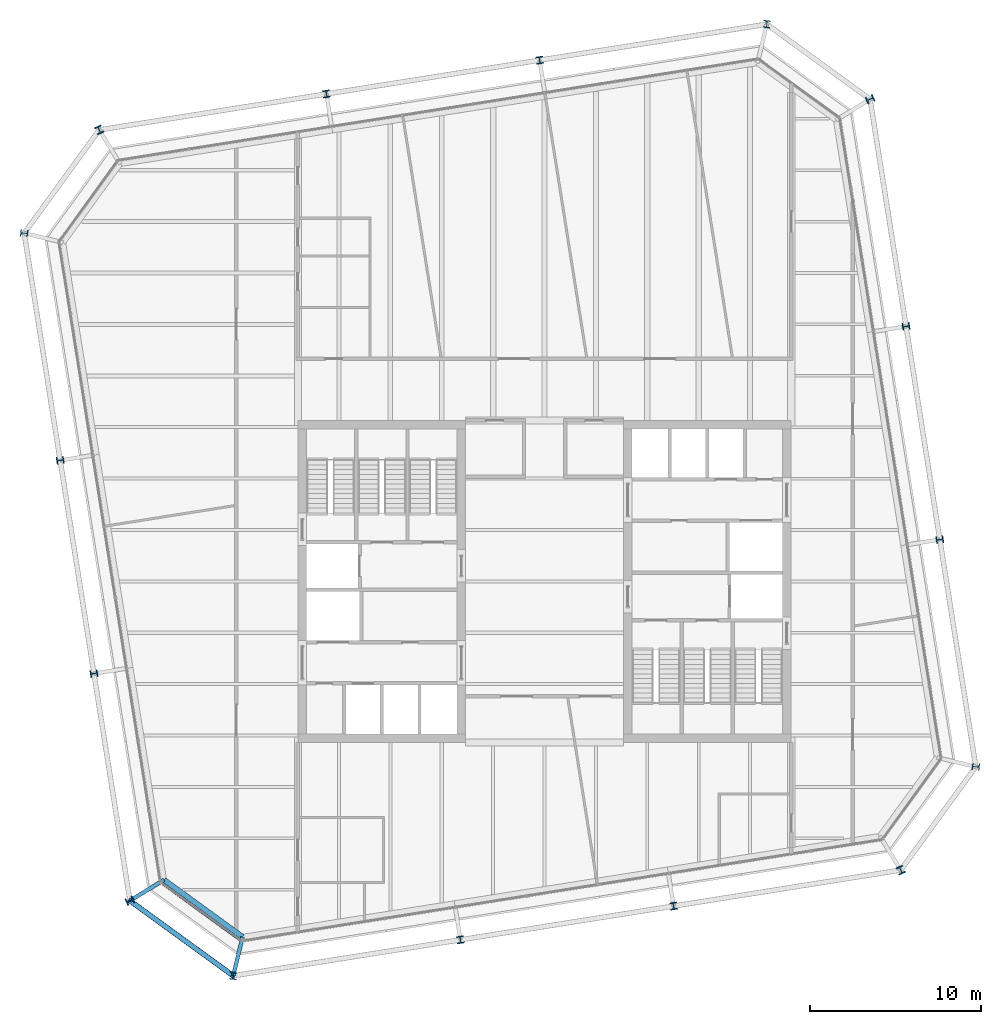
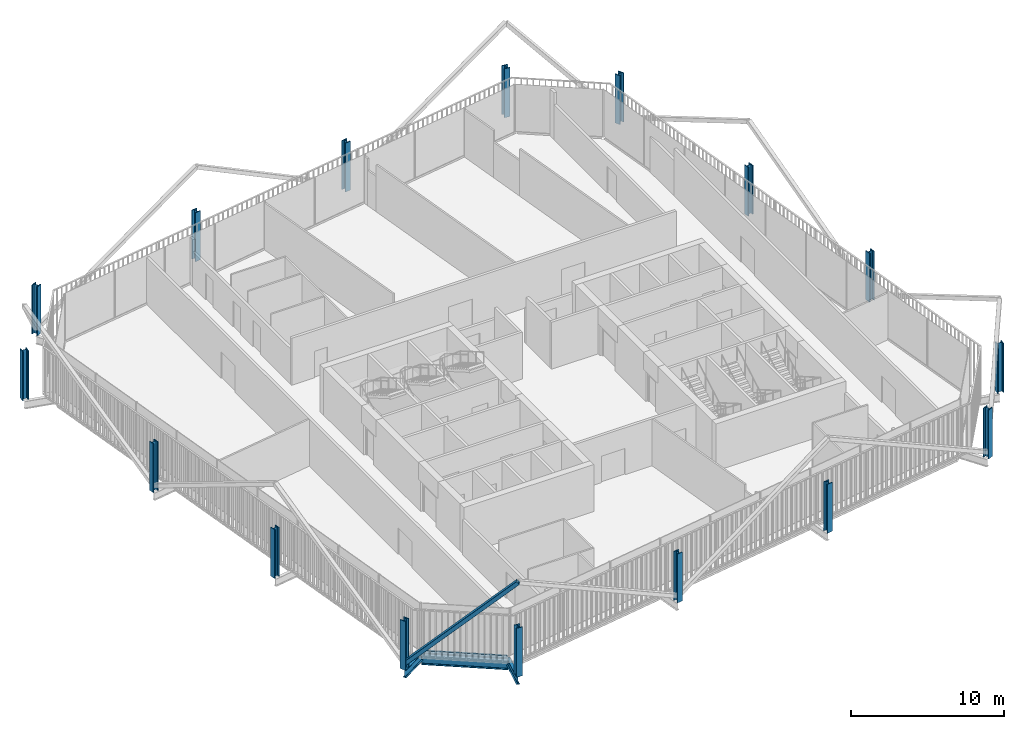
# One storey, part 1 of 21: 16 columns, 3 beams, 2 members, 1 element without a shape of its own.
"""IFC4 building model written with IfcOpenShell, lengths in metres."""

from ifc_helpers import new_model, si_unit, direction, frame, origin, origin_2d, place, context, subcontext, project, spatial, rectangle, hollow_rectangle, i_section, extrude, material, layer, layer_set, material_profile, profile_set, type_object, element, aggregate, save


model = new_model("IFC4")

# Units and contexts
model_context = context("Model", 3, precision=1e-05, world=origin(), true_north=direction((0.0, 1.0)))
body_context = subcontext(model_context, "Body", "Model", "MODEL_VIEW")
ifc_project = project(units=[si_unit("LENGTHUNIT", "METRE"), si_unit("AREAUNIT", "SQUARE_METRE"), si_unit("VOLUMEUNIT", "CUBIC_METRE"), si_unit("PLANEANGLEUNIT", "RADIAN"), si_unit("MASSUNIT", "GRAM", prefix="KILO")], contexts=[model_context])

# Site, building, storey
site_placement = place(None, origin())
site = spatial("IfcSite", under=ifc_project, at=site_placement, CompositionType="ELEMENT")
building_placement = place(site_placement, origin())
building = spatial("IfcBuilding", under=site, at=building_placement, Name="Millrace Tower", CompositionType="ELEMENT")
storey_placement = place(building_placement, frame((0.0, 0.0, 220.300048828125)))
storey = spatial("IfcBuildingStorey", under=building, at=storey_placement, Name="L50", CompositionType="ELEMENT", Elevation=220.300048828125)

# Columns
ifc_material_1 = material(Name="Steel ASTM A913 Grade 65", Category="steel")
ifc_material_profile_1 = material_profile(ifc_material_1, i_section(OverallWidth=0.408935546875, OverallDepth=0.424072265625, WebThickness=0.03271484375, FlangeThickness=0.052490234375, FilletRadius=0.01513671875, at=origin_2d()))
ifc_profile_set_1 = profile_set([ifc_material_profile_1], Name="Steel ASTM A913 Grade 65")
column_type_1 = type_object("IfcColumnType", Name="Exoskeleton column W14x283", PredefinedType="COLUMN", material=ifc_profile_set_1)
for number, where, z_axis, x_axis, name in (
    (1, (-4.91162109375, -20.927734375, 0.0), (0.0, 0.0, 1.0), (0.987688341035, 0.156434462265, 0.0), "COL-D-L50-X03"),
    (2, (7.533203125, -18.956787109375, 0.0), (0.0, 0.0, 1.0), (0.987688341035, 0.156434462265, 0.0), "COL-D-L50-X04"),
    (3, (23.07763671875, 2.4384765625, 0.0), (0.0, 0.0, 1.0), (-0.156434462265, 0.987688341035, 0.0), "COL-D-L50-X07"),
    (4, (21.106689453125, 14.88330078125, 0.0), (0.0, 0.0, 1.0), (-0.156434462265, 0.987688341035, 0.0), "COL-D-L50-X08"),
    (5, (-0.288330078125, 30.427734375, 0.0), (0.0, 0.0, 1.0), (-0.987688341035, -0.156434462265, 0.0), "COL-D-L50-X11"),
    (6, (-12.7333984375, 28.456787109375, 0.0), (0.0, 0.0, 1.0), (-0.987688341035, -0.156434462265, 0.0), "COL-D-L50-X12"),
    (7, (-28.27783203125, 7.0615234375, 0.0), (0.0, 0.0, 1.0), (0.156434462265, -0.987688341035, 0.0), "COL-D-L50-X15"),
    (8, (-26.306640625, -5.38330078125, 0.0), (0.0, 0.0, 1.0), (0.156434462265, -0.987688341035, 0.0), "COL-D-L50-X16"),
):
    element("IfcColumn", number, at=place(storey_placement, frame(where, z_axis=z_axis, x_axis=x_axis)), inside=storey, type_object=column_type_1, Name=name, PredefinedType="COLUMN", context=body_context, shape_type="SweptSolid", body=[
        extrude(i_section(OverallWidth=0.408935546875, OverallDepth=0.424072265625, WebThickness=0.03271484375, FlangeThickness=0.052490234375, FilletRadius=0.01513671875, at=origin_2d()), origin(), (0.0, 0.0, 1.0), 3.89990234375),
    ])
ifc_material_2 = material(Name="Steel ASTM A913 Grade 65", Category="steel")
ifc_material_profile_2 = material_profile(ifc_material_2, i_section(OverallWidth=0.41650390625, OverallDepth=0.444580078125, WebThickness=0.0390625, FlangeThickness=0.062744140625, FilletRadius=0.01513671875, at=origin_2d()))
ifc_profile_set_2 = profile_set([ifc_material_profile_2], Name="Steel ASTM A913 Grade 65")
column_type_2 = type_object("IfcColumnType", Name="Exoskeleton column W14x342", PredefinedType="COLUMN", material=ifc_profile_set_2)
for number, where, z_axis, x_axis, name in (
    (9, (-24.2060546875, -18.646484375, 0.0), (0.0, 0.0, 1.0), (0.418552981224, -0.908192381552, 0.0), "COL-D-L50-X01"),
    (10, (-18.174560546875, -23.0283203125, 0.0), (0.0, 0.0, 1.0), (0.993082267365, -0.117420655103, 0.0), "COL-D-L50-X02"),
    (11, (20.79638671875, -16.85595703125, 0.0), (0.0, 0.0, 1.0), (0.908192381552, 0.418552981224, 0.0), "COL-D-L50-X05"),
    (12, (25.178466796875, -10.82470703125, 0.0), (0.0, 0.0, 1.0), (0.117420655103, 0.993082267365, 0.0), "COL-D-L50-X06"),
    (13, (19.006103515625, 28.146484375, 0.0), (0.0, 0.0, 1.0), (-0.418552981224, 0.908192381552, 0.0), "COL-D-L50-X09"),
    (14, (12.974609375, 32.5283203125, 0.0), (0.0, 0.0, 1.0), (-0.993082267365, 0.117420655103, 0.0), "COL-D-L50-X10"),
    (15, (-25.996337890625, 26.35595703125, 0.0), (0.0, 0.0, 1.0), (-0.908192381552, -0.418552981224, 0.0), "COL-D-L50-X13"),
    (16, (-30.37841796875, 20.32470703125, 0.0), (0.0, 0.0, 1.0), (-0.117420655103, -0.993082267365, 0.0), "COL-D-L50-X14"),
):
    element("IfcColumn", number, at=place(storey_placement, frame(where, z_axis=z_axis, x_axis=x_axis)), inside=storey, type_object=column_type_2, Name=name, PredefinedType="COLUMN", context=body_context, shape_type="SweptSolid", body=[
        extrude(i_section(OverallWidth=0.41650390625, OverallDepth=0.444580078125, WebThickness=0.0390625, FlangeThickness=0.062744140625, FilletRadius=0.01513671875, at=origin_2d()), origin(), (0.0, 0.0, 1.0), 3.89990234375),
    ])

# Curtain wall, member
ifc_material_3 = material(Name="Aluminium and glass", Category="aluminium")
ifc_layer = layer(ifc_material_3, 0.14990234375)
ifc_layer_set = layer_set([ifc_layer], Name="Aluminium and glass")
curtain_wall_type = type_object("IfcCurtainWallType", Name="CW-1 office vision curtain wall", PredefinedType="NOTDEFINED", material=ifc_layer_set)
curtain_wall_placement = place(storey_placement, origin())
curtain_wall = element("IfcCurtainWall", 17, at=curtain_wall_placement, inside=storey, type_object=curtain_wall_type, Name="Curtain wall D-F01 L50", PredefinedType="NOTDEFINED")
ifc_material_4 = material(Name="Aluminium", Category="aluminium")
ifc_material_profile_3 = material_profile(ifc_material_4, rectangle(XDim=0.14990234375, YDim=0.139892578125, at=origin_2d()))
ifc_profile_set_3 = profile_set([ifc_material_profile_3], Name="Aluminium")
member_type_1 = type_object("IfcMemberType", Name="CW-1 office vision curtain wall transom", PredefinedType="USERDEFINED", material=ifc_profile_set_3)
member_1_placement = place(storey_placement, frame((-22.323486328125, -17.634765625, 0.070068359375), z_axis=(0.809033935994, -0.587761933448, 0.0), x_axis=(0.587761933448, 0.809033935994, 0.0)))
member_1 = element("IfcMember", 18, at=member_1_placement, type_object=member_type_1, Name="CW1 transom D-F01.1", ObjectType="TRANSOM", PredefinedType="USERDEFINED", context=body_context, shape_type="SweptSolid", body=[
    extrude(rectangle(XDim=0.14990234375, YDim=0.139892578125, at=origin_2d()), origin(), (0.0, 0.0, 1.0), 5.598388671875),
])
aggregate(curtain_wall, [member_1])

# Member
ifc_material_5 = material(Name="Steel ASTM A500 Grade C", Category="steel")
ifc_material_profile_4 = material_profile(ifc_material_5, hollow_rectangle(XDim=0.3046875, YDim=0.3046875, WallThickness=0.0126953125, InnerFilletRadius=0.00634765625, OuterFilletRadius=0.01904296875, at=origin_2d()))
ifc_profile_set_4 = profile_set([ifc_material_profile_4], Name="Steel ASTM A500 Grade C")
member_type_2 = type_object("IfcMemberType", Name="Exoskeleton brace HSS12x12x1/2", PredefinedType="BRACE", material=ifc_profile_set_4)
member_2_placement = place(storey_placement, frame((-24.2060546875, -18.646484375, 0.39990234375), z_axis=(0.589795997835, -0.428482435505, 0.684502361867), x_axis=(0.587758820843, 0.809036197288, 0.0)))
element("IfcMember", 19, at=member_2_placement, inside=storey, type_object=member_type_2, Name="BRC-D-L50-01", PredefinedType="BRACE", context=body_context, shape_type="SweptSolid", body=[
    extrude(hollow_rectangle(XDim=0.3046875, YDim=0.3046875, WallThickness=0.0126953125, InnerFilletRadius=0.00634765625, OuterFilletRadius=0.01904296875, at=origin_2d()), origin(), (0.0, 0.0, 1.0), 10.226318359375),
])

# Beams
ifc_material_6 = material(Name="Steel ASTM A992 Grade 50", Category="steel")
ifc_material_profile_5 = material_profile(ifc_material_6, i_section(OverallWidth=0.23046875, OverallDepth=0.6171875, WebThickness=0.01318359375, FlangeThickness=0.022216796875, FilletRadius=0.012939453125, at=origin_2d()))
ifc_profile_set_5 = profile_set([ifc_material_profile_5], Name="Steel ASTM A992 Grade 50")
beam_type_1 = type_object("IfcBeamType", Name="Link beam W24x94", PredefinedType="BEAM", material=ifc_profile_set_5)
for number, where, z_axis, x_axis, name in (
    (20, (-22.218505859375, -17.428466796875, -0.46875), (-0.852631355792, -0.522512938711, 0.0), (0.522512938711, -0.852631355792, 0.0), "LNK-D-L50-S1-01"),
    (21, (-17.63037109375, -20.76171875, -0.46875), (-0.233456138164, -0.972367333652, 0.0), (0.972367333652, -0.233456138164, 0.0), "LNK-D-L50-S1-16"),
):
    element("IfcBeam", number, at=place(storey_placement, frame(where, z_axis=z_axis, x_axis=x_axis)), inside=storey, type_object=beam_type_1, Name=name, PredefinedType="BEAM", context=body_context, shape_type="SweptSolid", body=[
        extrude(i_section(OverallWidth=0.23046875, OverallDepth=0.6171875, WebThickness=0.01318359375, FlangeThickness=0.022216796875, FilletRadius=0.012939453125, at=origin_2d()), origin(), (0.0, 0.0, 1.0), 2.3310546875),
    ])
ifc_material_7 = material(Name="Steel ASTM A992 Grade 50", Category="steel")
ifc_material_profile_6 = material_profile(ifc_material_7, i_section(OverallWidth=0.307373046875, OverallDepth=0.927001953125, WebThickness=0.01953125, FlangeThickness=0.031982421875, FilletRadius=0.01904296875, at=origin_2d()))
ifc_profile_set_6 = profile_set([ifc_material_profile_6], Name="Steel ASTM A992 Grade 50")
beam_type_2 = type_object("IfcBeamType", Name="Ring beam short span W36x194", PredefinedType="SPANDREL", material=ifc_profile_set_6)
beam_placement = place(storey_placement, frame((-17.63037109375, -20.76171875, -0.62353515625), z_axis=(-0.809035699289, 0.587759506326, 0.0), x_axis=(-0.587759506326, -0.809035699289, 0.0)))
element("IfcBeam", 22, at=beam_placement, inside=storey, type_object=beam_type_2, Name="RNG-D-L50-S1-16", PredefinedType="SPANDREL", context=body_context, shape_type="SweptSolid", body=[
    extrude(i_section(OverallWidth=0.307373046875, OverallDepth=0.927001953125, WebThickness=0.01953125, FlangeThickness=0.031982421875, FilletRadius=0.01904296875, at=origin_2d()), origin(), (0.0, 0.0, 1.0), 5.671142578125),
])

save(model, "model.ifc")
